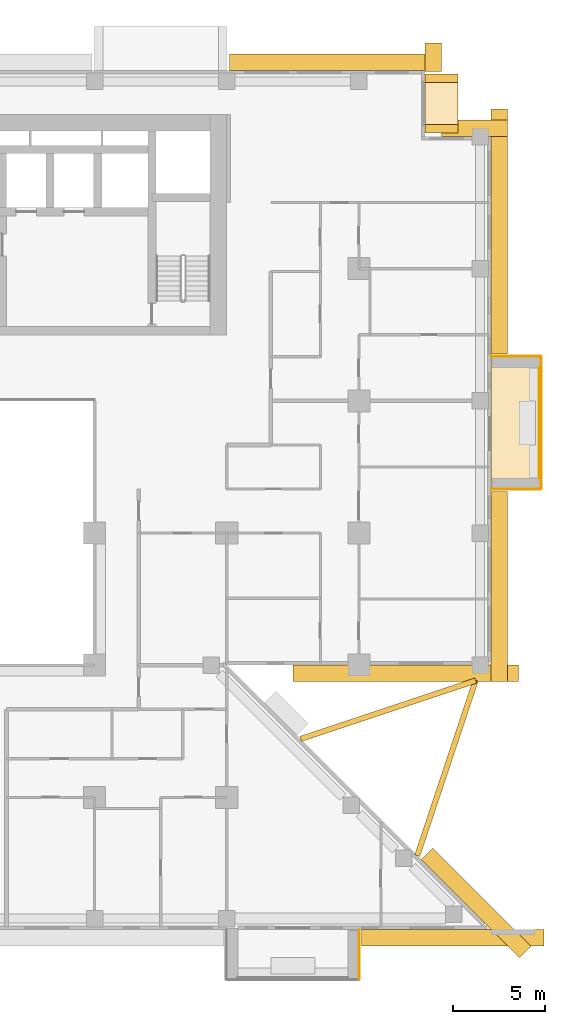
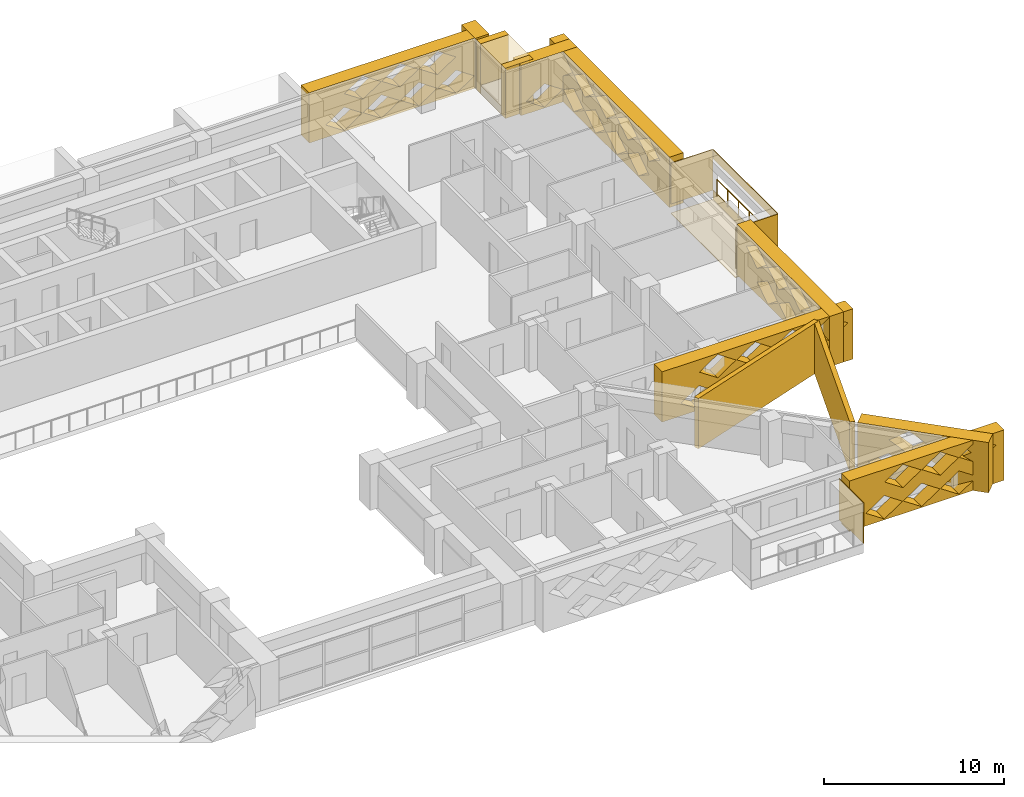
# One storey, part 17 of 17: 20 coverings, 1 railing.
"""IFC4 building model written with IfcOpenShell, lengths in metres."""

from ifc_helpers import new_model, si_unit, direction, frame, origin, origin_2d, place, context, subcontext, project, spatial, polyline, circle, outline, extrude, material, layer, layer_set, type_object, element, save


model = new_model("IFC4")

# Units and contexts
model_context = context("Model", 3, precision=1e-05, world=origin(), true_north=direction((0.0, 1.0)))
body_context = subcontext(model_context, "Body", "Model", "MODEL_VIEW")
ifc_project = project(units=[si_unit("LENGTHUNIT", "METRE"), si_unit("AREAUNIT", "SQUARE_METRE"), si_unit("VOLUMEUNIT", "CUBIC_METRE"), si_unit("PLANEANGLEUNIT", "RADIAN"), si_unit("MASSUNIT", "GRAM", prefix="KILO")], contexts=[model_context])

# Site, building, storey
site_placement = place(None, origin())
site = spatial("IfcSite", under=ifc_project, at=site_placement, CompositionType="ELEMENT")
building_placement = place(site_placement, origin())
building = spatial("IfcBuilding", under=site, at=building_placement, Name="Saffron Iwan Residences", CompositionType="ELEMENT")
storey_placement = place(building_placement, frame((0.0, 0.0, 104.0)))
storey = spatial("IfcBuildingStorey", under=building, at=storey_placement, Name="L27", CompositionType="ELEMENT", Elevation=104.0)

# Railing
ifc_material_1 = material(Name="Stainless steel 316", Category="steel")
railing_type = type_object("IfcRailingType", Name="BALCONY GUARD 1150", PredefinedType="GUARDRAIL", material=ifc_material_1)
railing_placement = place(storey_placement, frame((89.02490234375, 58.199951171875, 0.0)))
element("IfcRailing", 1, at=railing_placement, inside=storey, type_object=railing_type, Name="Balcony guard L27 F2-0", PredefinedType="GUARDRAIL", context=body_context, shape_type="SweptSolid", body=[
    extrude(circle(Radius=0.02392578125, at=origin_2d()), frame((0.0, 0.0, 1.1259765625), z_axis=(0.0, 1.0, 0.0), x_axis=(-1.0, 0.0, 0.0)), (0.0, 0.0, 1.0), 6.0),
    extrude(circle(Radius=0.02099609375, at=origin_2d()), origin(), (0.0, 0.0, 1.0), 1.101806640625),
    extrude(circle(Radius=0.02099609375, at=origin_2d()), frame((0.0, 1.199951171875, 0.0)), (0.0, 0.0, 1.0), 1.101806640625),
    extrude(circle(Radius=0.02099609375, at=origin_2d()), frame((0.0, 2.39990234375, 0.0)), (0.0, 0.0, 1.0), 1.101806640625),
    extrude(circle(Radius=0.02099609375, at=origin_2d()), frame((0.0, 3.60009765625, 0.0)), (0.0, 0.0, 1.0), 1.101806640625),
    extrude(circle(Radius=0.02099609375, at=origin_2d()), frame((0.0, 4.800048828125, 0.0)), (0.0, 0.0, 1.0), 1.101806640625),
    extrude(circle(Radius=0.02099609375, at=origin_2d()), frame((0.0, 6.0, 0.0)), (0.0, 0.0, 1.0), 1.101806640625),
])

# Coverings
ifc_material_2 = material(Name="Precast concrete C40/50 white painted", Category="concrete")
ifc_layer_1 = layer(ifc_material_2, 0.050048828125)
ifc_layer_set_1 = layer_set([ifc_layer_1], Name="Precast concrete C40/50 white painted")
covering_type_1 = type_object("IfcCoveringType", Name="FRAME SKIN PRECAST WHITE 50", PredefinedType="CLADDING", material=ifc_layer_set_1)
for number, where, name in (
    (2, (0.0, 0.0, -0.60009765625), "Frame skin slab edge L27 F2-0"),
    (3, (0.0, 0.0, 2.169921875), "Frame skin fascia L27 F2-0"),
):
    element("IfcCovering", number, at=place(storey_placement, frame(where)), inside=storey, type_object=covering_type_1, Name=name, PredefinedType="CLADDING", context=body_context, shape_type="SweptSolid", body=[
        extrude(outline(polyline([(89.14990234375, 57.60009765625), (89.14990234375, 64.800048828125), (89.10009765625, 64.800048828125), (89.10009765625, 57.60009765625), (89.14990234375, 57.60009765625)])), origin(), (0.0, 0.0, 1.0), 0.60009765625),
    ])
covering_1_placement = place(storey_placement, frame((0.0, 0.0, -0.64990234375)))
element("IfcCovering", 4, at=covering_1_placement, inside=storey, type_object=covering_type_1, Name="Frame skin soffit L27 F2-0", PredefinedType="CLADDING", context=body_context, shape_type="SweptSolid", body=[
    extrude(outline(polyline([(89.10009765625, 57.60009765625), (89.10009765625, 64.800048828125), (86.39990234375, 64.800048828125), (86.39990234375, 57.60009765625), (89.10009765625, 57.60009765625)])), origin(), (0.0, 0.0, 1.0), 0.0498046875),
])
covering_2_placement = place(storey_placement, origin())
element("IfcCovering", 5, at=covering_2_placement, inside=storey, type_object=covering_type_1, Name="Frame skin fin L27 F2-0a", PredefinedType="CLADDING", context=body_context, shape_type="SweptSolid", body=[
    extrude(outline(polyline([(89.10009765625, 57.550048828125), (89.10009765625, 57.60009765625), (86.39990234375, 57.60009765625), (86.39990234375, 57.550048828125), (89.10009765625, 57.550048828125)])), origin(), (0.0, 0.0, 1.0), 2.77001953125),
])
covering_3_placement = place(storey_placement, origin())
element("IfcCovering", 6, at=covering_3_placement, inside=storey, type_object=covering_type_1, Name="Frame skin fin L27 F2-0b", PredefinedType="CLADDING", context=body_context, shape_type="SweptSolid", body=[
    extrude(outline(polyline([(89.10009765625, 64.800048828125), (89.10009765625, 64.85009765625), (86.39990234375, 64.85009765625), (86.39990234375, 64.800048828125), (89.10009765625, 64.800048828125)])), origin(), (0.0, 0.0, 1.0), 2.77001953125),
])
covering_4_placement = place(storey_placement, origin())
element("IfcCovering", 7, at=covering_4_placement, inside=storey, type_object=covering_type_1, Name="Frame skin fin L27 11-1b", PredefinedType="CLADDING", context=body_context, shape_type="SweptSolid", body=[
    extrude(outline(polyline([(79.199951171875, 30.89990234375), (79.25, 30.89990234375), (79.25, 33.60009765625), (79.199951171875, 33.60009765625), (79.199951171875, 30.89990234375)])), origin(), (0.0, 0.0, 1.0), 2.77001953125),
])
ifc_material_3 = material(Name="Precast concrete C40/50", Category="concrete")
covering_type_2 = type_object("IfcCoveringType", Name="OUTER SKIN LATTICE SCREEN", PredefinedType="CLADDING", material=ifc_material_3)
covering_5_placement = place(storey_placement, frame((87.939453125, 32.060546875, -0.320068359375), z_axis=(0.706971125213, 0.70724241114, 0.0), x_axis=(-0.70724241114, 0.706971125213, 0.0)))
element("IfcCovering", 8, at=covering_5_placement, inside=storey, type_object=covering_type_2, Name="OUTER SKIN lattice screen L27 F0.0", PredefinedType="CLADDING", context=body_context, shape_type="SweptSolid", body=[
    extrude(outline(polyline([(0.0, 0.0), (7.559326171875, 0.0), (7.559326171875, 3.419921875), (0.0, 3.419921875), (0.0, 0.0)]), holes=[polyline([(2.197021484375, 0.85498046875), (3.377197265625, 0.06005859375), (4.55712890625, 0.85498046875), (3.377197265625, 1.64990234375), (2.197021484375, 0.85498046875)]), polyline([(4.59716796875, 0.85498046875), (5.777099609375, 0.06005859375), (6.95703125, 0.85498046875), (5.777099609375, 1.64990234375), (4.59716796875, 0.85498046875)]), polyline([(0.9970703125, 2.56494140625), (2.177001953125, 1.77001953125), (3.357177734375, 2.56494140625), (2.177001953125, 3.360107421875), (0.9970703125, 2.56494140625)]), polyline([(3.397216796875, 2.56494140625), (4.5771484375, 1.77001953125), (5.757080078125, 2.56494140625), (4.5771484375, 3.360107421875), (3.397216796875, 2.56494140625)])]), origin(), (0.0, 0.0, 1.0), 0.89990234375),
])
covering_6_placement = place(storey_placement, frame((75.6171875, 48.0, -0.320068359375), z_axis=(0.0, -1.0, 0.0), x_axis=(1.0, 0.0, 0.0)))
element("IfcCovering", 9, at=covering_6_placement, inside=storey, type_object=covering_type_2, Name="OUTER SKIN lattice screen L27 F1.0", PredefinedType="CLADDING", context=body_context, shape_type="SweptSolid", body=[
    extrude(outline(polyline([(0.0, 0.0), (12.282958984375, 0.0), (12.282958984375, 3.419921875), (0.0, 3.419921875), (0.0, 0.0)]), holes=[polyline([(1.202880859375, 0.85498046875), (2.3828125, 0.06005859375), (3.56298828125, 0.85498046875), (2.3828125, 1.64990234375), (1.202880859375, 0.85498046875)]), polyline([(3.602783203125, 0.85498046875), (4.782958984375, 0.06005859375), (5.962890625, 0.85498046875), (4.782958984375, 1.64990234375), (3.602783203125, 0.85498046875)]), polyline([(6.0029296875, 0.85498046875), (7.182861328125, 0.06005859375), (8.36279296875, 0.85498046875), (7.182861328125, 1.64990234375), (6.0029296875, 0.85498046875)]), polyline([(8.40283203125, 0.85498046875), (9.5830078125, 0.06005859375), (10.762939453125, 0.85498046875), (9.5830078125, 1.64990234375), (8.40283203125, 0.85498046875)]), polyline([(2.40283203125, 2.56494140625), (3.5830078125, 1.77001953125), (4.762939453125, 2.56494140625), (3.5830078125, 3.360107421875), (2.40283203125, 2.56494140625)]), polyline([(4.802978515625, 2.56494140625), (5.98291015625, 1.77001953125), (7.162841796875, 2.56494140625), (5.98291015625, 3.360107421875), (4.802978515625, 2.56494140625)]), polyline([(7.202880859375, 2.56494140625), (8.3828125, 1.77001953125), (9.56298828125, 2.56494140625), (8.3828125, 3.360107421875), (7.202880859375, 2.56494140625)]), polyline([(9.602783203125, 2.56494140625), (10.782958984375, 1.77001953125), (11.962890625, 2.56494140625), (10.782958984375, 3.360107421875), (9.602783203125, 2.56494140625)])]), origin(), (0.0, 0.0, 1.0), 0.89990234375),
])
covering_7_placement = place(storey_placement, frame((86.39990234375, 47.10009765625, -0.320068359375), z_axis=(1.0, 0.0, 0.0), x_axis=(0.0, 1.0, 0.0)))
element("IfcCovering", 10, at=covering_7_placement, inside=storey, type_object=covering_type_2, Name="OUTER SKIN lattice screen L27 F2.0", PredefinedType="CLADDING", context=body_context, shape_type="SweptSolid", body=[
    extrude(outline(polyline([(0.0, 0.0), (10.35009765625, 0.0), (10.35009765625, 3.419921875), (0.0, 3.419921875), (0.0, 0.0)]), holes=[polyline([(0.919921875, 0.85498046875), (2.10009765625, 0.06005859375), (3.280029296875, 0.85498046875), (2.10009765625, 1.64990234375), (0.919921875, 0.85498046875)]), polyline([(3.320068359375, 0.85498046875), (4.5, 0.06005859375), (5.679931640625, 0.85498046875), (4.5, 1.64990234375), (3.320068359375, 0.85498046875)]), polyline([(5.719970703125, 0.85498046875), (6.89990234375, 0.06005859375), (8.080078125, 0.85498046875), (6.89990234375, 1.64990234375), (5.719970703125, 0.85498046875)]), polyline([(2.1201171875, 2.56494140625), (3.300048828125, 1.77001953125), (4.47998046875, 2.56494140625), (3.300048828125, 3.360107421875), (2.1201171875, 2.56494140625)]), polyline([(4.52001953125, 2.56494140625), (5.699951171875, 1.77001953125), (6.8798828125, 2.56494140625), (5.699951171875, 3.360107421875), (4.52001953125, 2.56494140625)]), polyline([(6.919921875, 2.56494140625), (8.10009765625, 1.77001953125), (9.280029296875, 2.56494140625), (8.10009765625, 3.360107421875), (6.919921875, 2.56494140625)])]), origin(), (0.0, 0.0, 1.0), 0.900146484375),
])
covering_8_placement = place(storey_placement, frame((86.39990234375, 64.949951171875, -0.320068359375), z_axis=(1.0, 0.0, 0.0), x_axis=(0.0, 1.0, 0.0)))
element("IfcCovering", 11, at=covering_8_placement, inside=storey, type_object=covering_type_2, Name="OUTER SKIN lattice screen L27 F2.1", PredefinedType="CLADDING", context=body_context, shape_type="SweptSolid", body=[
    extrude(outline(polyline([(0.0, 0.0), (13.35009765625, 0.0), (13.35009765625, 3.419921875), (0.0, 3.419921875), (0.0, 0.0)]), holes=[polyline([(2.27001953125, 0.85498046875), (3.449951171875, 0.06005859375), (4.6298828125, 0.85498046875), (3.449951171875, 1.64990234375), (2.27001953125, 0.85498046875)]), polyline([(4.669921875, 0.85498046875), (5.85009765625, 0.06005859375), (7.030029296875, 0.85498046875), (5.85009765625, 1.64990234375), (4.669921875, 0.85498046875)]), polyline([(7.070068359375, 0.85498046875), (8.25, 0.06005859375), (9.429931640625, 0.85498046875), (8.25, 1.64990234375), (7.070068359375, 0.85498046875)]), polyline([(9.469970703125, 0.85498046875), (10.64990234375, 0.06005859375), (11.830078125, 0.85498046875), (10.64990234375, 1.64990234375), (9.469970703125, 0.85498046875)]), polyline([(1.070068359375, 2.56494140625), (2.25, 1.77001953125), (3.429931640625, 2.56494140625), (2.25, 3.360107421875), (1.070068359375, 2.56494140625)]), polyline([(3.469970703125, 2.56494140625), (4.64990234375, 1.77001953125), (5.830078125, 2.56494140625), (4.64990234375, 3.360107421875), (3.469970703125, 2.56494140625)]), polyline([(5.8701171875, 2.56494140625), (7.050048828125, 1.77001953125), (8.22998046875, 2.56494140625), (7.050048828125, 3.360107421875), (5.8701171875, 2.56494140625)]), polyline([(8.27001953125, 2.56494140625), (9.449951171875, 1.77001953125), (10.6298828125, 2.56494140625), (9.449951171875, 3.360107421875), (8.27001953125, 2.56494140625)]), polyline([(10.669921875, 2.56494140625), (11.85009765625, 1.77001953125), (13.030029296875, 2.56494140625), (11.85009765625, 3.360107421875), (10.669921875, 2.56494140625)])]), origin(), (0.0, 0.0, 1.0), 0.900146484375),
])
covering_9_placement = place(storey_placement, frame((87.300048828125, 76.800048828125, -0.320068359375), z_axis=(0.0, 1.0, 0.0), x_axis=(-1.0, 0.0, 0.0)))
element("IfcCovering", 12, at=covering_9_placement, inside=storey, type_object=covering_type_2, Name="OUTER SKIN lattice screen L27 F3.0", PredefinedType="CLADDING", context=body_context, shape_type="SweptSolid", body=[
    extrude(outline(polyline([(0.0, 0.0), (3.60009765625, 0.0), (3.60009765625, 3.419921875), (0.0, 3.419921875), (0.0, 0.0)]), holes=[polyline([(0.919921875, 0.85498046875), (2.10009765625, 0.06005859375), (3.280029296875, 0.85498046875), (2.10009765625, 1.64990234375), (0.919921875, 0.85498046875)])]), origin(), (0.0, 0.0, 1.0), 0.89990234375),
])
covering_10_placement = place(storey_placement, frame((82.800048828125, 80.35009765625, -0.320068359375), z_axis=(1.0, 0.0, 0.0), x_axis=(0.0, 1.0, 0.0)))
element("IfcCovering", 13, at=covering_10_placement, inside=storey, type_object=covering_type_2, Name="OUTER SKIN lattice screen L27 F4.0", PredefinedType="CLADDING", context=body_context, shape_type="SweptSolid", body=[
    extrude(outline(polyline([(0.0, 0.0), (1.550048828125, 0.0), (1.550048828125, 3.419921875), (0.0, 3.419921875), (0.0, 0.0)])), origin(), (0.0, 0.0, 1.0), 0.89990234375),
])
covering_11_placement = place(storey_placement, frame((83.699951171875, 80.39990234375, -0.320068359375), z_axis=(0.0, 1.0, 0.0), x_axis=(-1.0, 0.0, 0.0)))
element("IfcCovering", 14, at=covering_11_placement, inside=storey, type_object=covering_type_2, Name="OUTER SKIN lattice screen L27 F5.0", PredefinedType="CLADDING", context=body_context, shape_type="SweptSolid", body=[
    extrude(outline(polyline([(0.0, 0.0), (11.550048828125, 0.0), (11.550048828125, 3.419921875), (0.0, 3.419921875), (0.0, 0.0)]), holes=[polyline([(0.919921875, 0.85498046875), (2.10009765625, 0.06005859375), (3.280029296875, 0.85498046875), (2.10009765625, 1.64990234375), (0.919921875, 0.85498046875)]), polyline([(3.320068359375, 0.85498046875), (4.5, 0.06005859375), (5.679931640625, 0.85498046875), (4.5, 1.64990234375), (3.320068359375, 0.85498046875)]), polyline([(5.719970703125, 0.85498046875), (6.89990234375, 0.06005859375), (8.080078125, 0.85498046875), (6.89990234375, 1.64990234375), (5.719970703125, 0.85498046875)]), polyline([(8.1201171875, 0.85498046875), (9.300048828125, 0.06005859375), (10.47998046875, 0.85498046875), (9.300048828125, 1.64990234375), (8.1201171875, 0.85498046875)]), polyline([(2.1201171875, 2.56494140625), (3.300048828125, 1.77001953125), (4.47998046875, 2.56494140625), (3.300048828125, 3.360107421875), (2.1201171875, 2.56494140625)]), polyline([(4.52001953125, 2.56494140625), (5.699951171875, 1.77001953125), (6.8798828125, 2.56494140625), (5.699951171875, 3.360107421875), (4.52001953125, 2.56494140625)]), polyline([(6.919921875, 2.56494140625), (8.10009765625, 1.77001953125), (9.280029296875, 2.56494140625), (8.10009765625, 3.360107421875), (6.919921875, 2.56494140625)])]), origin(), (0.0, 0.0, 1.0), 0.900146484375),
])
covering_12_placement = place(storey_placement, frame((79.35009765625, 33.60009765625, -0.320068359375), z_axis=(0.0, -1.0, 0.0), x_axis=(1.0, 0.0, 0.0)))
element("IfcCovering", 15, at=covering_12_placement, inside=storey, type_object=covering_type_2, Name="OUTER SKIN lattice screen L27 F11.3", PredefinedType="CLADDING", context=body_context, shape_type="SweptSolid", body=[
    extrude(outline(polyline([(0.0, 0.0), (9.947021484375, 0.0), (9.947021484375, 3.419921875), (0.0, 3.419921875), (0.0, 0.0)]), holes=[polyline([(1.070068359375, 0.85498046875), (2.25, 0.06005859375), (3.429931640625, 0.85498046875), (2.25, 1.64990234375), (1.070068359375, 0.85498046875)]), polyline([(3.469970703125, 0.85498046875), (4.64990234375, 0.06005859375), (5.830078125, 0.85498046875), (4.64990234375, 1.64990234375), (3.469970703125, 0.85498046875)]), polyline([(5.8701171875, 0.85498046875), (7.050048828125, 0.06005859375), (8.22998046875, 0.85498046875), (7.050048828125, 1.64990234375), (5.8701171875, 0.85498046875)]), polyline([(2.27001953125, 2.56494140625), (3.449951171875, 1.77001953125), (4.6298828125, 2.56494140625), (3.449951171875, 3.360107421875), (2.27001953125, 2.56494140625)]), polyline([(4.669921875, 2.56494140625), (5.85009765625, 1.77001953125), (7.030029296875, 2.56494140625), (5.85009765625, 3.360107421875), (4.669921875, 2.56494140625)]), polyline([(7.070068359375, 2.56494140625), (8.25, 1.77001953125), (9.429931640625, 2.56494140625), (8.25, 3.360107421875), (7.070068359375, 2.56494140625)])]), origin(), (0.0, 0.0, 1.0), 0.900146484375),
])
ifc_layer_2 = layer(ifc_material_2, 0.300048828125)
ifc_layer_set_2 = layer_set([ifc_layer_2], Name="Precast concrete C40/50 white painted")
covering_type_3 = type_object("IfcCoveringType", Name="PROW NOSE BLADE PRECAST WHITE", PredefinedType="CLADDING", material=ifc_layer_set_2)
covering_13_placement = place(storey_placement, frame((0.0, 0.0, -0.320068359375)))
element("IfcCovering", 16, at=covering_13_placement, inside=storey, type_object=covering_type_3, Name="Prow nose blade L27 a", PredefinedType="CLADDING", context=body_context, shape_type="SweptSolid", body=[
    extrude(outline(polyline([(82.5244140625, 37.570556640625), (85.706298828125, 47.116455078125), (85.421630859375, 47.21142578125), (82.23974609375, 37.66552734375), (82.5244140625, 37.570556640625)])), origin(), (0.0, 0.0, 1.0), 3.420166015625),
])
covering_14_placement = place(storey_placement, frame((0.0, 0.0, -0.320068359375)))
element("IfcCovering", 17, at=covering_14_placement, inside=storey, type_object=covering_type_3, Name="Prow nose blade L27 b", PredefinedType="CLADDING", context=body_context, shape_type="SweptSolid", body=[
    extrude(outline(polyline([(76.0654296875, 43.839599609375), (85.611328125, 47.021728515625), (85.5166015625, 47.306396484375), (75.970703125, 44.124267578125), (76.0654296875, 43.839599609375)])), origin(), (0.0, 0.0, 1.0), 3.420166015625),
])
covering_type_4 = type_object("IfcCoveringType", Name="WHITE SUN FRAME PRECAST", PredefinedType="CLADDING", material=ifc_material_2)
for number, where, z_axis, x_axis, name in (
    (18, (82.800048828125, 77.0, -0.320068359375), (1.0, 0.0, 0.0), (0.0, 1.0, 0.0), "Sun frame L27 F4 0.2a"),
    (19, (82.800048828125, 79.75, -0.320068359375), (1.0, 0.0, 0.0), (0.0, 1.0, 0.0), "Sun frame L27 F4 0.2b"),
):
    element("IfcCovering", number, at=place(storey_placement, frame(where, z_axis=z_axis, x_axis=x_axis)), inside=storey, type_object=covering_type_4, Name=name, PredefinedType="CLADDING", context=body_context, shape_type="SweptSolid", body=[
        extrude(outline(polyline([(0.0, 0.0), (0.449951171875, 0.0), (0.449951171875, 3.419921875), (0.0, 3.419921875), (0.0, 0.0)])), origin(), (0.0, 0.0, 1.0), 1.800048828125),
    ])
for number, where, z_axis, x_axis, name in (
    (20, (82.800048828125, 77.449951171875, 2.5), (1.0, 0.0, 0.0), (0.0, 1.0, 0.0), "Sun frame L27 F4 0.2h"),
    (21, (82.800048828125, 77.449951171875, -0.320068359375), (1.0, 0.0, 0.0), (0.0, 1.0, 0.0), "Sun frame L27 F4 0.2s"),
):
    element("IfcCovering", number, at=place(storey_placement, frame(where, z_axis=z_axis, x_axis=x_axis)), inside=storey, type_object=covering_type_4, Name=name, PredefinedType="CLADDING", context=body_context, shape_type="SweptSolid", body=[
        extrude(outline(polyline([(0.0, 0.0), (2.300048828125, 0.0), (2.300048828125, 0.60009765625), (0.0, 0.60009765625), (0.0, 0.0)])), origin(), (0.0, 0.0, 1.0), 1.800048828125),
    ])

save(model, "model.ifc")
